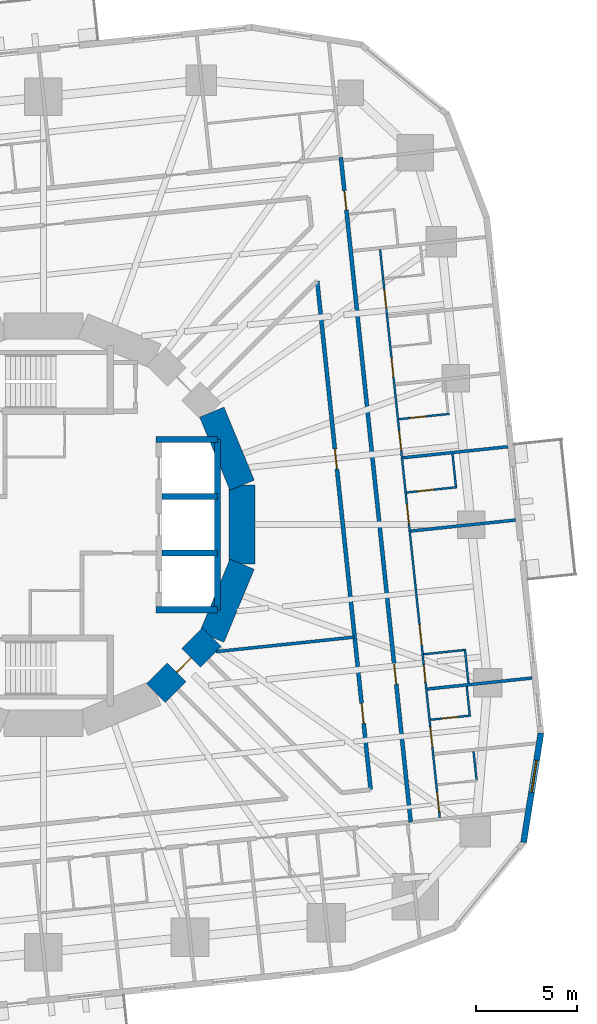
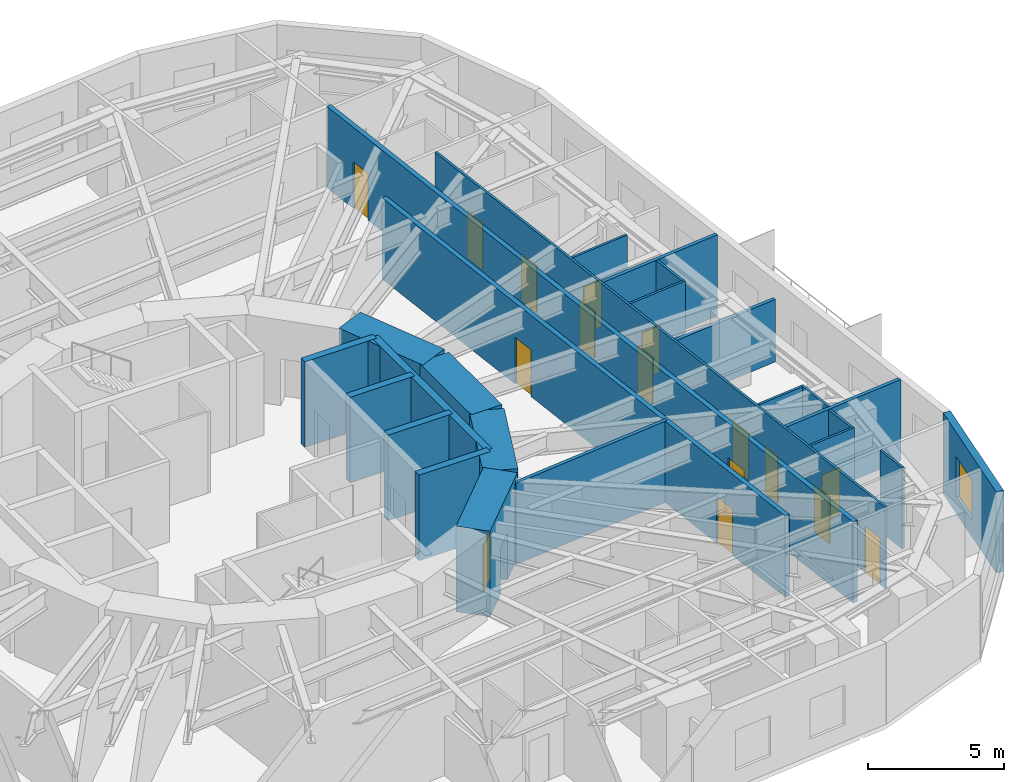
# One storey, part 8 of 13: 25 walls, 16 doors, 1 window, 17 openings.
"""IFC4 building model written with IfcOpenShell, lengths in metres."""

import ifcopenshell
import ifcopenshell.guid

model = None  # the IFC model being written
_history = None  # IfcOwnerHistory: only IFC2X3 demands one
_inside = {}  # id of a spatial element -> (the spatial element, [elements in it])
_under = {}  # id of a project, library or spatial element -> (it, [spatial elements below it])
_declared = {}  # id of a project -> (the project, [libraries it declares])
_typed = {}  # id of a type object -> (the type object, [elements of that type])
_made_of = {}  # id of a material, layer set ... -> (it, [elements and type objects made of it])


def new_model(schema):
    """Start an empty IFC model of exactly this schema.

    Asked for "IFC4X3", IfcOpenShell would pick the latest addendum, in which some entities
    have other attributes; the version numbers below select the first issue.
    IFC2X3 requires an IfcOwnerHistory on every rooted entity: one is made here for all.
    """
    global model, _history
    if schema == "IFC4X3":
        model = ifcopenshell.file(schema_version=(4, 3, 0, 0))
    else:
        model = ifcopenshell.file(schema=schema)
    _inside.clear()
    _under.clear()
    _declared.clear()
    _typed.clear()
    _made_of.clear()
    _history = None
    if model.schema == "IFC2X3":
        org = make("IfcOrganization", Name="unknown")
        user = make(
            "IfcPersonAndOrganization",
            ThePerson=make("IfcPerson", FamilyName="unknown"),
            TheOrganization=org,
        )
        app = make(
            "IfcApplication",
            ApplicationDeveloper=org,
            Version="unknown",
            ApplicationFullName="unknown",
            ApplicationIdentifier="unknown",
        )
        _history = make(
            "IfcOwnerHistory",
            OwningUser=user,
            OwningApplication=app,
            ChangeAction="ADDED",
            CreationDate=0,
        )
    return model


def make(cls, **values):
    """One entity of the class cls with the attributes given. An attribute that is None is left unset."""
    return model.create_entity(
        cls, **{name: value for name, value in values.items() if value is not None}
    )


def rooted(cls, **values):
    """An entity with a GlobalId (a new one), such as an element, a storey or a relation."""
    return make(cls, GlobalId=ifcopenshell.guid.new(), OwnerHistory=_history, **values)


def si_unit(unit_type, name, prefix=None):
    """IfcSIUnit, for example si_unit("LENGTHUNIT", "METRE", prefix="MILLI")."""
    return make("IfcSIUnit", UnitType=unit_type, Prefix=prefix, Name=name)


def assignment(units):
    """IfcUnitAssignment: the units of a project."""
    return None if units is None else make("IfcUnitAssignment", Units=units)


def point(xyz):
    """IfcCartesianPoint."""
    return None if xyz is None else make("IfcCartesianPoint", Coordinates=xyz)


def direction(xyz):
    """IfcDirection."""
    return None if xyz is None else make("IfcDirection", DirectionRatios=xyz)


def frame(location, z_axis=None, x_axis=None):
    """IfcAxis2Placement3D, a coordinate frame: its origin and axes. An axis left out is left unset."""
    return make(
        "IfcAxis2Placement3D",
        Location=point(location),
        Axis=direction(z_axis),
        RefDirection=direction(x_axis),
    )


def frame_2d(location, x_axis=None):
    """IfcAxis2Placement2D, a coordinate frame in the plane: its origin and x axis."""
    return make(
        "IfcAxis2Placement2D", Location=point(location), RefDirection=direction(x_axis)
    )


def origin():
    """The frame at (0, 0, 0) with its axes left unset."""
    return frame((0.0, 0.0, 0.0))


def place(relative_to, where):
    """IfcLocalPlacement: puts the frame where relative to a parent placement (None: the world)."""
    return make(
        "IfcLocalPlacement", PlacementRelTo=relative_to, RelativePlacement=where
    )


def context(
    kind, dimensions, precision=None, world=None, true_north=None, identifier=None
):
    """IfcGeometricRepresentationContext, for example the 3D "Model" context."""
    return make(
        "IfcGeometricRepresentationContext",
        ContextIdentifier=identifier,
        ContextType=kind,
        CoordinateSpaceDimension=dimensions,
        Precision=precision,
        WorldCoordinateSystem=world,
        TrueNorth=true_north,
    )


def subcontext(parent, identifier, kind, view, scale=None):
    """IfcGeometricRepresentationSubContext, for example "Body" below "Model"."""
    return make(
        "IfcGeometricRepresentationSubContext",
        ContextIdentifier=identifier,
        ContextType=kind,
        ParentContext=parent,
        TargetScale=scale,
        TargetView=view,
    )


def project(units=None, contexts=None):
    """IfcProject with its units and contexts."""
    return rooted(
        "IfcProject",
        Name="project",
        RepresentationContexts=contexts,
        UnitsInContext=assignment(units),
    )


def spatial(cls, under=None, at=None, **own):
    """A site, building, storey or space (cls), placed at a placement, below another one or the project."""
    s = rooted(cls, ObjectPlacement=at, **own)
    if under is not None:
        _under.setdefault(under.id(), (under, []))[1].append(s)
    return s


def profile(cls, at=None, kind="AREA", **sizes):
    """A parametric profile (cls). Its sizes go by their IFC names, for example OverallWidth=200.0."""
    return make(cls, ProfileType=kind, Position=at, **sizes)


def rectangle(**sizes):
    """IfcRectangleProfileDef."""
    return profile("IfcRectangleProfileDef", **sizes)


def extrude(swept, where, along, depth):
    """IfcExtrudedAreaSolid: the profile swept, set in the frame where, extruded along a direction by depth."""
    return make(
        "IfcExtrudedAreaSolid",
        SweptArea=swept,
        Position=where,
        ExtrudedDirection=direction(along),
        Depth=depth,
    )


def shape(context_of_items, identifier, shape_type, items):
    """IfcShapeRepresentation: the items that make up one representation, for example the "Body"."""
    return make(
        "IfcShapeRepresentation",
        ContextOfItems=context_of_items,
        RepresentationIdentifier=identifier,
        RepresentationType=shape_type,
        Items=items,
    )


def material(Name=None, Category=None):
    """IfcMaterial."""
    return make("IfcMaterial", Name=Name, Category=Category)


def layer(
    of_material, thickness, ventilated=None, Name=None, Category=None, Priority=None
):
    """IfcMaterialLayer: one layer of a wall or slab, of a material (None: an air gap)."""
    return make(
        "IfcMaterialLayer",
        Material=of_material,
        LayerThickness=thickness,
        IsVentilated=ventilated,
        Name=Name,
        Category=Category,
        Priority=Priority,
    )


def layer_set(layers, Name=None):
    """IfcMaterialLayerSet."""
    return make("IfcMaterialLayerSet", MaterialLayers=layers, LayerSetName=Name)


def made_of(thing, what):
    """Note that an element or type object is made of a material, layer set ...; save() writes the relation."""
    if what is not None:
        _made_of.setdefault(what.id(), (what, []))[1].append(thing)
    return thing


def type_object(cls, material=None, **own):
    """A type object (cls), such as IfcWallType, which elements share."""
    return made_of(rooted(cls, **own), material)


def element(
    cls,
    number,
    at=None,
    inside=None,
    cuts=None,
    type_object=None,
    material=None,
    context=None,
    identifier="Body",
    shape_type=None,
    held_by="IfcProductDefinitionShape",
    body=None,
    shapes=None,
    **own,
):
    """One element of the class cls, such as IfcWall. Its Tag is "e" and its number.

    at: its placement. inside: the storey or other place that contains it. cuts: it is an
    opening in that element (IfcRelVoidsElement). A single representation is given by context,
    identifier, shape_type and body (its items); several are given by shapes. held_by: the class
    of the entity that holds the representations. save() writes the other relations.
    """
    e = rooted(cls, Tag="e%d" % number, ObjectPlacement=at, **own)
    if body is not None:
        shapes = [shape(context, identifier, shape_type, body)]
    if shapes is not None:
        e.Representation = make(held_by, Representations=shapes)
    if inside is not None:
        _inside.setdefault(inside.id(), (inside, []))[1].append(e)
    if cuts is not None:
        rooted(
            "IfcRelVoidsElement", RelatingBuildingElement=cuts, RelatedOpeningElement=e
        )
    if type_object is not None:
        _typed.setdefault(type_object.id(), (type_object, []))[1].append(e)
    return made_of(e, material)


def fill(opening, filler):
    """IfcRelFillsElement: the door or window that sits in an opening."""
    return rooted(
        "IfcRelFillsElement",
        RelatingOpeningElement=opening,
        RelatedBuildingElement=filler,
    )


def aggregate(whole, parts):
    """IfcRelAggregates: a whole, such as a stair, and the parts it consists of."""
    return rooted("IfcRelAggregates", RelatingObject=whole, RelatedObjects=parts)


def save(model, path):
    """Write the relations noted so far, then the file.

    IfcRelAggregates (storeys below a building ...), IfcRelContainedInSpatialStructure (elements
    in a storey), IfcRelDefinesByType, IfcRelAssociatesMaterial and IfcRelDeclares: one each for
    every whole, place, type object, material and project.
    """
    for whole, parts in _under.values():
        aggregate(whole, parts)
    for where, things in _inside.values():
        rooted(
            "IfcRelContainedInSpatialStructure",
            RelatedElements=things,
            RelatingStructure=where,
        )
    for kind, things in _typed.values():
        rooted("IfcRelDefinesByType", RelatedObjects=things, RelatingType=kind)
    for what, things in _made_of.values():
        rooted("IfcRelAssociatesMaterial", RelatedObjects=things, RelatingMaterial=what)
    for by, libraries in _declared.values():
        rooted("IfcRelDeclares", RelatingContext=by, RelatedDefinitions=libraries)
    model.write(path)


model = new_model("IFC4")

# Units and contexts
model_context = context("Model", 3, precision=1e-05, world=origin(), true_north=direction((0.0, 1.0)))
body_context = subcontext(model_context, "Body", "Model", "MODEL_VIEW")
ifc_project = project(units=[si_unit("LENGTHUNIT", "METRE"), si_unit("AREAUNIT", "SQUARE_METRE"), si_unit("VOLUMEUNIT", "CUBIC_METRE"), si_unit("PLANEANGLEUNIT", "RADIAN"), si_unit("MASSUNIT", "GRAM", prefix="KILO")], contexts=[model_context])

# Site, building, storey
site_placement = place(None, origin())
site = spatial("IfcSite", under=ifc_project, at=site_placement, CompositionType="ELEMENT")
building_placement = place(site_placement, origin())
building = spatial("IfcBuilding", under=site, at=building_placement, Name="Nakasero Lantern House", CompositionType="ELEMENT")
storey_placement = place(building_placement, frame((0.0, 0.0, 91.300048828125)))
storey = spatial("IfcBuildingStorey", under=building, at=storey_placement, Name="L22", CompositionType="ELEMENT", Elevation=91.300048828125)

# Wall, openings, doors
ifc_material_1 = material(Name="Blockwork", Category="masonry")
ifc_layer_1 = layer(ifc_material_1, 0.10009765625)
ifc_layer_set_1 = layer_set([ifc_layer_1], Name="Cluster hall wall 100")
wall_type_1 = type_object("IfcWallType", Name="Cluster hall wall 100", PredefinedType="PARTITIONING", material=ifc_layer_set_1)
wall_1_placement = place(storey_placement, frame((19.568603515625, -14.458740234375, 0.0), z_axis=(0.0, 0.0, 1.0), x_axis=(-0.10452880444, 0.99452185951, 0.0)))
wall_1 = element("IfcWall", 1, at=wall_1_placement, inside=storey, type_object=wall_type_1, Name="Cluster hall wall L22 HW0-0", PredefinedType="PARTITIONING", context=body_context, shape_type="SweptSolid", body=[
    extrude(rectangle(XDim=28.191162109375, YDim=0.10009765625, at=frame_2d((14.095703125, 0.0))), origin(), (0.0, 0.0, 1.0), 3.64990234375),
])
opening_1_placement = place(wall_1_placement, frame((8.57568359375, 0.0, 0.0)))
opening_1 = element("IfcOpeningElement", 2, at=opening_1_placement, cuts=wall_1, Name="Opening D03", PredefinedType="OPENING", context=body_context, shape_type="SweptSolid", body=[
    extrude(rectangle(XDim=1.0, YDim=2.10009765625, at=frame_2d((0.5, 1.050048828125))), frame((0.0, 0.070068359375, 0.0), z_axis=(0.0, -1.0, 0.0), x_axis=(1.0, 0.0, 0.0)), (0.0, 0.0, 1.0), 0.14013671875),
])
opening_2_placement = place(wall_1_placement, frame((6.75048828125, 0.0, 0.0)))
opening_2 = element("IfcOpeningElement", 3, at=opening_2_placement, cuts=wall_1, Name="Opening D02", PredefinedType="OPENING", context=body_context, shape_type="SweptSolid", body=[
    extrude(rectangle(XDim=0.800048828125, YDim=2.10009765625, at=frame_2d((0.39990234375, 1.050048828125))), frame((0.0, 0.070068359375, 0.0), z_axis=(0.0, -1.0, 0.0), x_axis=(1.0, 0.0, 0.0)), (0.0, 0.0, 1.0), 0.14013671875),
])
opening_3_placement = place(wall_1_placement, frame((0.300048828125, 0.0, 0.0)))
opening_3 = element("IfcOpeningElement", 4, at=opening_3_placement, cuts=wall_1, Name="Opening D01", PredefinedType="OPENING", context=body_context, shape_type="SweptSolid", body=[
    extrude(rectangle(XDim=0.949951171875, YDim=2.10009765625, at=frame_2d((0.47509765625, 1.050048828125))), frame((0.0, 0.070068359375, 0.0), z_axis=(0.0, -1.0, 0.0), x_axis=(1.0, 0.0, 0.0)), (0.0, 0.0, 1.0), 0.14013671875),
])
opening_4_placement = place(wall_1_placement, frame((3.525390625, 0.0, 0.0)))
opening_4 = element("IfcOpeningElement", 5, at=opening_4_placement, cuts=wall_1, Name="Opening D01", PredefinedType="OPENING", context=body_context, shape_type="SweptSolid", body=[
    extrude(rectangle(XDim=0.949951171875, YDim=2.10009765625, at=frame_2d((0.47509765625, 1.050048828125))), frame((0.0, 0.070068359375, 0.0), z_axis=(0.0, -1.0, 0.0), x_axis=(1.0, 0.0, 0.0)), (0.0, 0.0, 1.0), 0.14013671875),
])
opening_5_placement = place(wall_1_placement, frame((14.5927734375, 0.0, 0.0)))
opening_5 = element("IfcOpeningElement", 6, at=opening_5_placement, cuts=wall_1, Name="Opening D01", PredefinedType="OPENING", context=body_context, shape_type="SweptSolid", body=[
    extrude(rectangle(XDim=0.949951171875, YDim=2.10009765625, at=frame_2d((0.47509765625, 1.050048828125))), frame((0.0, 0.070068359375, 0.0), z_axis=(0.0, -1.0, 0.0), x_axis=(1.0, 0.0, 0.0)), (0.0, 0.0, 1.0), 0.14013671875),
])
opening_6_placement = place(wall_1_placement, frame((18.2314453125, 0.0, 0.0)))
opening_6 = element("IfcOpeningElement", 7, at=opening_6_placement, cuts=wall_1, Name="Opening D01", PredefinedType="OPENING", context=body_context, shape_type="SweptSolid", body=[
    extrude(rectangle(XDim=0.949951171875, YDim=2.10009765625, at=frame_2d((0.47509765625, 1.050048828125))), frame((0.0, 0.070068359375, 0.0), z_axis=(0.0, -1.0, 0.0), x_axis=(1.0, 0.0, 0.0)), (0.0, 0.0, 1.0), 0.14013671875),
])
opening_7_placement = place(wall_1_placement, frame((21.8701171875, 0.0, 0.0)))
opening_7 = element("IfcOpeningElement", 8, at=opening_7_placement, cuts=wall_1, Name="Opening D01", PredefinedType="OPENING", context=body_context, shape_type="SweptSolid", body=[
    extrude(rectangle(XDim=0.949951171875, YDim=2.10009765625, at=frame_2d((0.47509765625, 1.050048828125))), frame((0.0, 0.070068359375, 0.0), z_axis=(0.0, -1.0, 0.0), x_axis=(1.0, 0.0, 0.0)), (0.0, 0.0, 1.0), 0.14013671875),
])
opening_8_placement = place(wall_1_placement, frame((25.255615234375, 0.0, 0.0)))
opening_8 = element("IfcOpeningElement", 9, at=opening_8_placement, cuts=wall_1, Name="Opening D01", PredefinedType="OPENING", context=body_context, shape_type="SweptSolid", body=[
    extrude(rectangle(XDim=0.949951171875, YDim=2.10009765625, at=frame_2d((0.47509765625, 1.050048828125))), frame((0.0, 0.070068359375, 0.0), z_axis=(0.0, -1.0, 0.0), x_axis=(1.0, 0.0, 0.0)), (0.0, 0.0, 1.0), 0.14013671875),
])
ifc_material_2 = material(Name="Timber C24", Category="wood")
door_type_1 = type_object("IfcDoorType", Name="Bedroom door FD30S 950", OperationType="SINGLE_SWING_LEFT", PredefinedType="DOOR", material=ifc_material_2)
door_1_placement = place(opening_3_placement, origin())
door_1 = element("IfcDoor", 10, at=door_1_placement, inside=storey, type_object=door_type_1, Name="Door L22 D0-00", OperationType="SINGLE_SWING_LEFT", OverallHeight=2.10009765625, OverallWidth=0.949951171875, PredefinedType="DOOR", context=body_context, shape_type="SweptSolid", body=[
    extrude(rectangle(XDim=0.949951171875, YDim=2.10009765625, at=frame_2d((0.47509765625, 1.050048828125))), frame((0.0, 0.02490234375, 0.0), z_axis=(0.0, -1.0, 0.0), x_axis=(1.0, 0.0, 0.0)), (0.0, 0.0, 1.0), 0.050048828125),
])
fill(opening_3, door_1)
door_2_placement = place(opening_4_placement, origin())
door_2 = element("IfcDoor", 11, at=door_2_placement, inside=storey, type_object=door_type_1, Name="Door L22 D0-01", OperationType="SINGLE_SWING_LEFT", OverallHeight=2.10009765625, OverallWidth=0.949951171875, PredefinedType="DOOR", context=body_context, shape_type="SweptSolid", body=[
    extrude(rectangle(XDim=0.949951171875, YDim=2.10009765625, at=frame_2d((0.47509765625, 1.050048828125))), frame((0.0, 0.02490234375, 0.0), z_axis=(0.0, -1.0, 0.0), x_axis=(1.0, 0.0, 0.0)), (0.0, 0.0, 1.0), 0.050048828125),
])
fill(opening_4, door_2)
door_3_placement = place(opening_5_placement, origin())
door_3 = element("IfcDoor", 12, at=door_3_placement, inside=storey, type_object=door_type_1, Name="Door L22 D0-04", OperationType="SINGLE_SWING_RIGHT", OverallHeight=2.10009765625, OverallWidth=0.949951171875, PredefinedType="DOOR", context=body_context, shape_type="SweptSolid", body=[
    extrude(rectangle(XDim=0.949951171875, YDim=2.10009765625, at=frame_2d((0.47509765625, 1.050048828125))), frame((0.0, 0.02490234375, 0.0), z_axis=(0.0, -1.0, 0.0), x_axis=(1.0, 0.0, 0.0)), (0.0, 0.0, 1.0), 0.050048828125),
])
fill(opening_5, door_3)
door_4_placement = place(opening_6_placement, origin())
door_4 = element("IfcDoor", 13, at=door_4_placement, inside=storey, type_object=door_type_1, Name="Door L22 D0-05", OperationType="SINGLE_SWING_RIGHT", OverallHeight=2.10009765625, OverallWidth=0.949951171875, PredefinedType="DOOR", context=body_context, shape_type="SweptSolid", body=[
    extrude(rectangle(XDim=0.949951171875, YDim=2.10009765625, at=frame_2d((0.47509765625, 1.050048828125))), frame((0.0, 0.02490234375, 0.0), z_axis=(0.0, -1.0, 0.0), x_axis=(1.0, 0.0, 0.0)), (0.0, 0.0, 1.0), 0.050048828125),
])
fill(opening_6, door_4)
door_5_placement = place(opening_7_placement, origin())
door_5 = element("IfcDoor", 14, at=door_5_placement, inside=storey, type_object=door_type_1, Name="Door L22 D0-06", OperationType="SINGLE_SWING_RIGHT", OverallHeight=2.10009765625, OverallWidth=0.949951171875, PredefinedType="DOOR", context=body_context, shape_type="SweptSolid", body=[
    extrude(rectangle(XDim=0.949951171875, YDim=2.10009765625, at=frame_2d((0.47509765625, 1.050048828125))), frame((0.0, 0.02490234375, 0.0), z_axis=(0.0, -1.0, 0.0), x_axis=(1.0, 0.0, 0.0)), (0.0, 0.0, 1.0), 0.050048828125),
])
fill(opening_7, door_5)
door_6_placement = place(opening_8_placement, origin())
door_6 = element("IfcDoor", 15, at=door_6_placement, inside=storey, type_object=door_type_1, Name="Door L22 D0-07", OperationType="SINGLE_SWING_RIGHT", OverallHeight=2.10009765625, OverallWidth=0.949951171875, PredefinedType="DOOR", context=body_context, shape_type="SweptSolid", body=[
    extrude(rectangle(XDim=0.949951171875, YDim=2.10009765625, at=frame_2d((0.47509765625, 1.050048828125))), frame((0.0, 0.02490234375, 0.0), z_axis=(0.0, -1.0, 0.0), x_axis=(1.0, 0.0, 0.0)), (0.0, 0.0, 1.0), 0.050048828125),
])
fill(opening_8, door_6)
ifc_material_3 = material(Name="Timber C24", Category="wood")
door_type_2 = type_object("IfcDoorType", Name="En-suite door 800", OperationType="SINGLE_SWING_RIGHT", PredefinedType="DOOR", material=ifc_material_3)
door_7_placement = place(opening_2_placement, origin())
door_7 = element("IfcDoor", 16, at=door_7_placement, inside=storey, type_object=door_type_2, Name="Door L22 DSH0-0", OperationType="SINGLE_SWING_LEFT", OverallHeight=2.10009765625, OverallWidth=0.800048828125, PredefinedType="DOOR", context=body_context, shape_type="SweptSolid", body=[
    extrude(rectangle(XDim=0.800048828125, YDim=2.10009765625, at=frame_2d((0.39990234375, 1.050048828125))), frame((0.0, 0.02490234375, 0.0), z_axis=(0.0, -1.0, 0.0), x_axis=(1.0, 0.0, 0.0)), (0.0, 0.0, 1.0), 0.050048828125),
])
fill(opening_2, door_7)
ifc_material_4 = material(Name="Timber C24", Category="wood")
door_type_3 = type_object("IfcDoorType", Name="Lounge door FD30S 1000", OperationType="SINGLE_SWING_LEFT", PredefinedType="DOOR", material=ifc_material_4)
door_8_placement = place(opening_1_placement, origin())
door_8 = element("IfcDoor", 17, at=door_8_placement, inside=storey, type_object=door_type_3, Name="Door L22 DH0-0", OperationType="SINGLE_SWING_LEFT", OverallHeight=2.10009765625, OverallWidth=1.0, PredefinedType="DOOR", context=body_context, shape_type="SweptSolid", body=[
    extrude(rectangle(XDim=1.0, YDim=2.10009765625, at=frame_2d((0.5, 1.050048828125))), frame((0.0, 0.02490234375, 0.0), z_axis=(0.0, -1.0, 0.0), x_axis=(1.0, 0.0, 0.0)), (0.0, 0.0, 1.0), 0.050048828125),
])
fill(opening_1, door_8)

# Walls
ifc_material_5 = material(Name="Concrete C50/60", Category="concrete")
ifc_layer_2 = layer(ifc_material_5, 0.300048828125)
ifc_layer_set_2 = layer_set([ifc_layer_2], Name="Core inner wall 300")
wall_type_2 = type_object("IfcWallType", Name="Core inner wall 300", PredefinedType="SHEAR", material=ifc_layer_set_2)
for number, where, z_axis, x_axis, name in (
    (18, (5.550048828125, 4.199951171875, 0.0), (0.0, 0.0, 1.0), (1.0, 0.0, 0.0), "Core inner wall L22 LEN"),
    (19, (5.550048828125, -4.199951171875, 0.0), (0.0, 0.0, 1.0), (1.0, 0.0, 0.0), "Core inner wall L22 LES"),
):
    element("IfcWall", number, at=place(storey_placement, frame(where, z_axis=z_axis, x_axis=x_axis)), inside=storey, type_object=wall_type_2, Name=name, PredefinedType="SHEAR", context=body_context, shape_type="SweptSolid", body=[
        extrude(rectangle(XDim=3.050048828125, YDim=0.300048828125, at=frame_2d((1.52490234375, 0.0))), origin(), (0.0, 0.0, 1.0), 3.849853515625),
    ])
wall_2_placement = place(storey_placement, frame((8.60009765625, -4.199951171875, 0.0), z_axis=(0.0, 0.0, 1.0), x_axis=(0.0, 1.0, 0.0)))
element("IfcWall", 20, at=wall_2_placement, inside=storey, type_object=wall_type_2, Name="Core inner wall L22 LEB", PredefinedType="SHEAR", context=body_context, shape_type="SweptSolid", body=[
    extrude(rectangle(XDim=8.39990234375, YDim=0.300048828125, at=frame_2d((4.199951171875, 0.0))), origin(), (0.0, 0.0, 1.0), 3.849853515625),
])
for number, where, z_axis, x_axis, name in (
    (21, (5.85009765625, -1.39990234375, 0.0), (0.0, 0.0, 1.0), (1.0, 0.0, 0.0), "Core inner wall L22 LE1"),
    (22, (5.85009765625, 1.39990234375, 0.0), (0.0, 0.0, 1.0), (1.0, 0.0, 0.0), "Core inner wall L22 LE2"),
):
    element("IfcWall", number, at=place(storey_placement, frame(where, z_axis=z_axis, x_axis=x_axis)), inside=storey, type_object=wall_type_2, Name=name, PredefinedType="SHEAR", context=body_context, shape_type="SweptSolid", body=[
        extrude(rectangle(XDim=2.75, YDim=0.300048828125, at=frame_2d((1.375, 0.0))), origin(), (0.0, 0.0, 1.0), 3.849853515625),
    ])
ifc_material_6 = material(Name="Concrete C50/60", Category="concrete")
ifc_layer_3 = layer(ifc_material_6, 1.300048828125)
ifc_layer_set_3 = layer_set([ifc_layer_3], Name="Core wall 1300")
wall_type_3 = type_object("IfcWallType", Name="Core wall 1300", PredefinedType="SHEAR", material=ifc_layer_set_3)
wall_3_placement = place(storey_placement, frame((9.807861328125, 1.950927734375, 0.0), z_axis=(0.0, 0.0, 1.0), x_axis=(-0.382690736062, 0.923876507187, 0.0)))
element("IfcWall", 23, at=wall_3_placement, inside=storey, type_object=wall_type_3, Name="Core wall L22 facet 1", PredefinedType="SHEAR", context=body_context, shape_type="SweptSolid", body=[
    extrude(rectangle(XDim=3.90185546875, YDim=1.300048828125, at=frame_2d((1.950927734375, 0.0))), origin(), (0.0, 0.0, 1.0), 3.849853515625),
])

# Wall, opening, door
wall_4_placement = place(storey_placement, frame((5.5556640625, -8.314697265625, 0.0), z_axis=(0.0, 0.0, 1.0), x_axis=(0.707106781187, 0.707106781187, 0.0)))
wall_4 = element("IfcWall", 24, at=wall_4_placement, inside=storey, type_object=wall_type_3, Name="Core wall L22 facet 14", PredefinedType="SHEAR", context=body_context, shape_type="SweptSolid", body=[
    extrude(rectangle(XDim=3.90185546875, YDim=1.300048828125, at=frame_2d((1.950927734375, 0.0))), origin(), (0.0, 0.0, 1.0), 3.849853515625),
])
opening_9_placement = place(wall_4_placement, frame((1.450927734375, 0.0, 0.0)))
opening_9 = element("IfcOpeningElement", 25, at=opening_9_placement, cuts=wall_4, Name="Opening D05", PredefinedType="OPENING", context=body_context, shape_type="SweptSolid", body=[
    extrude(rectangle(XDim=1.0, YDim=2.10009765625, at=frame_2d((0.5, 1.050048828125))), frame((0.0, 0.669921875, 0.0), z_axis=(0.0, -1.0, 0.0), x_axis=(1.0, 0.0, 0.0)), (0.0, 0.0, 1.0), 1.340087890625),
])
ifc_material_7 = material(Name="Timber C24", Category="wood")
door_type_4 = type_object("IfcDoorType", Name="Core door FD60S 1000", OperationType="SINGLE_SWING_LEFT", PredefinedType="DOOR", material=ifc_material_7)
door_9_placement = place(opening_9_placement, origin())
door_9 = element("IfcDoor", 26, at=door_9_placement, inside=storey, type_object=door_type_4, Name="Door L22 D-CORE14", OperationType="SINGLE_SWING_LEFT", OverallHeight=2.10009765625, OverallWidth=1.0, PredefinedType="DOOR", context=body_context, shape_type="SweptSolid", body=[
    extrude(rectangle(XDim=1.0, YDim=2.10009765625, at=frame_2d((0.5, 1.050048828125))), frame((0.0, 0.02490234375, 0.0), z_axis=(0.0, -1.0, 0.0), x_axis=(1.0, 0.0, 0.0)), (0.0, 0.0, 1.0), 0.050048828125),
])
fill(opening_9, door_9)

# Walls
for number, where, z_axis, x_axis, name in (
    (27, (8.314697265625, -5.5556640625, 0.0), (0.0, 0.0, 1.0), (0.382690736062, 0.923876507187, 0.0), "Core wall L22 facet 15"),
    (28, (9.807861328125, -1.950927734375, 0.0), (0.0, 0.0, 1.0), (0.0, 1.0, 0.0), "Core wall L22 facet 16"),
):
    element("IfcWall", number, at=place(storey_placement, frame(where, z_axis=z_axis, x_axis=x_axis)), inside=storey, type_object=wall_type_3, Name=name, PredefinedType="SHEAR", context=body_context, shape_type="SweptSolid", body=[
        extrude(rectangle(XDim=3.90185546875, YDim=1.300048828125, at=frame_2d((1.950927734375, 0.0))), origin(), (0.0, 0.0, 1.0), 3.849853515625),
    ])

# Wall, openings, doors
ifc_material_8 = material(Name="Blockwork", Category="masonry")
ifc_layer_4 = layer(ifc_material_8, 0.199951171875)
ifc_layer_set_4 = layer_set([ifc_layer_4], Name="Corridor wall 200")
wall_type_4 = type_object("IfcWallType", Name="Corridor wall 200", PredefinedType="PARTITIONING", material=ifc_layer_set_4)
wall_5_placement = place(storey_placement, frame((18.13427734375, -14.684814453125, 0.0), z_axis=(0.0, 0.0, 1.0), x_axis=(-0.10452958258, 0.994521777723, 0.0)))
wall_5 = element("IfcWall", 29, at=wall_5_placement, inside=storey, type_object=wall_type_4, Name="Corridor wall L22 CW0", PredefinedType="PARTITIONING", context=body_context, shape_type="SweptSolid", body=[
    extrude(rectangle(XDim=32.999755859375, YDim=0.199951171875, at=frame_2d((16.5, 0.0))), origin(), (0.0, 0.0, 1.0), 3.64990234375),
])
opening_10_placement = place(wall_5_placement, frame((6.8505859375, 0.0, 0.0)))
opening_10 = element("IfcOpeningElement", 30, at=opening_10_placement, cuts=wall_5, Name="Opening D14", PredefinedType="OPENING", context=body_context, shape_type="SweptSolid", body=[
    extrude(rectangle(XDim=1.0, YDim=2.10009765625, at=frame_2d((0.5, 1.050048828125))), frame((0.0, 0.119873046875, 0.0), z_axis=(0.0, -1.0, 0.0), x_axis=(1.0, 0.0, 0.0)), (0.0, 0.0, 1.0), 0.239990234375),
])
opening_11_placement = place(wall_5_placement, frame((30.39111328125, 0.0, 0.0)))
opening_11 = element("IfcOpeningElement", 31, at=opening_11_placement, cuts=wall_5, Name="Opening D01", PredefinedType="OPENING", context=body_context, shape_type="SweptSolid", body=[
    extrude(rectangle(XDim=0.949951171875, YDim=2.10009765625, at=frame_2d((0.47509765625, 1.050048828125))), frame((0.0, 0.119873046875, 0.0), z_axis=(0.0, -1.0, 0.0), x_axis=(1.0, 0.0, 0.0)), (0.0, 0.0, 1.0), 0.239990234375),
])
door_10_placement = place(opening_11_placement, origin())
door_10 = element("IfcDoor", 32, at=door_10_placement, inside=storey, type_object=door_type_1, Name="Door L22 D0-08", OperationType="SINGLE_SWING_RIGHT", OverallHeight=2.10009765625, OverallWidth=0.949951171875, PredefinedType="DOOR", context=body_context, shape_type="SweptSolid", body=[
    extrude(rectangle(XDim=0.949951171875, YDim=2.10009765625, at=frame_2d((0.47509765625, 1.050048828125))), frame((0.0, 0.02490234375, 0.0), z_axis=(0.0, -1.0, 0.0), x_axis=(1.0, 0.0, 0.0)), (0.0, 0.0, 1.0), 0.050048828125),
])
fill(opening_11, door_10)
ifc_material_9 = material(Name="Timber C24", Category="wood")
door_type_5 = type_object("IfcDoorType", Name="Cluster entrance door FD30S 1000", OperationType="SINGLE_SWING_LEFT", PredefinedType="DOOR", material=ifc_material_9)
door_11_placement = place(opening_10_placement, origin())
door_11 = element("IfcDoor", 33, at=door_11_placement, inside=storey, type_object=door_type_5, Name="Door L22 DF0-0", OperationType="SINGLE_SWING_LEFT", OverallHeight=2.10009765625, OverallWidth=1.0, PredefinedType="DOOR", context=body_context, shape_type="SweptSolid", body=[
    extrude(rectangle(XDim=1.0, YDim=2.10009765625, at=frame_2d((0.5, 1.050048828125))), frame((0.0, 0.02490234375, 0.0), z_axis=(0.0, -1.0, 0.0), x_axis=(1.0, 0.0, 0.0)), (0.0, 0.0, 1.0), 0.050048828125),
])
fill(opening_10, door_11)

wall_6_placement = place(storey_placement, frame((16.156005859375, -13.0830078125, 0.0), z_axis=(0.0, 0.0, 1.0), x_axis=(-0.104528773298, 0.994521862783, 0.0)))
wall_6 = element("IfcWall", 34, at=wall_6_placement, inside=storey, type_object=wall_type_4, Name="Corridor wall L22 IW0-0", PredefinedType="PARTITIONING", context=body_context, shape_type="SweptSolid", body=[
    extrude(rectangle(XDim=25.2529296875, YDim=0.199951171875, at=frame_2d((12.62646484375, 0.0))), origin(), (0.0, 0.0, 1.0), 3.64990234375),
])
opening_12_placement = place(wall_6_placement, frame((3.287841796875, 0.0, 0.0)))
opening_12 = element("IfcOpeningElement", 35, at=opening_12_placement, cuts=wall_6, Name="Opening D07", PredefinedType="OPENING", context=body_context, shape_type="SweptSolid", body=[
    extrude(rectangle(XDim=1.0, YDim=2.10009765625, at=frame_2d((0.5, 1.050048828125))), frame((0.0, 0.119873046875, 0.0), z_axis=(0.0, -1.0, 0.0), x_axis=(1.0, 0.0, 0.0)), (0.0, 0.0, 1.0), 0.239990234375),
])
opening_13_placement = place(wall_6_placement, frame((15.914306640625, 0.0, 0.0)))
opening_13 = element("IfcOpeningElement", 36, at=opening_13_placement, cuts=wall_6, Name="Opening D07", PredefinedType="OPENING", context=body_context, shape_type="SweptSolid", body=[
    extrude(rectangle(XDim=1.0, YDim=2.10009765625, at=frame_2d((0.5, 1.050048828125))), frame((0.0, 0.119873046875, 0.0), z_axis=(0.0, -1.0, 0.0), x_axis=(1.0, 0.0, 0.0)), (0.0, 0.0, 1.0), 0.239990234375),
])
ifc_material_10 = material(Name="Timber C24", Category="wood")
door_type_6 = type_object("IfcDoorType", Name="Room door FD30S 1000", OperationType="SINGLE_SWING_LEFT", PredefinedType="DOOR", material=ifc_material_10)
door_12_placement = place(opening_12_placement, origin())
door_12 = element("IfcDoor", 37, at=door_12_placement, inside=storey, type_object=door_type_6, Name="Door L22 DI4", OperationType="SINGLE_SWING_LEFT", OverallHeight=2.10009765625, OverallWidth=1.0, PredefinedType="DOOR", context=body_context, shape_type="SweptSolid", body=[
    extrude(rectangle(XDim=1.0, YDim=2.10009765625, at=frame_2d((0.5, 1.050048828125))), frame((0.0, 0.02490234375, 0.0), z_axis=(0.0, -1.0, 0.0), x_axis=(1.0, 0.0, 0.0)), (0.0, 0.0, 1.0), 0.050048828125),
])
fill(opening_12, door_12)
door_13_placement = place(opening_13_placement, origin())
door_13 = element("IfcDoor", 38, at=door_13_placement, inside=storey, type_object=door_type_6, Name="Door L22 DI4S", OperationType="SINGLE_SWING_RIGHT", OverallHeight=2.10009765625, OverallWidth=1.0, PredefinedType="DOOR", context=body_context, shape_type="SweptSolid", body=[
    extrude(rectangle(XDim=1.0, YDim=2.10009765625, at=frame_2d((0.5, 1.050048828125))), frame((0.0, 0.02490234375, 0.0), z_axis=(0.0, -1.0, 0.0), x_axis=(1.0, 0.0, 0.0)), (0.0, 0.0, 1.0), 0.050048828125),
])
fill(opening_13, door_13)

# Walls
ifc_material_11 = material(Name="Blockwork", Category="masonry")
ifc_layer_5 = layer(ifc_material_11, 0.10009765625)
ifc_layer_set_5 = layer_set([ifc_layer_5], Name="En-suite wall 100")
wall_type_5 = type_object("IfcWallType", Name="En-suite wall 100", PredefinedType="PARTITIONING", material=ifc_layer_set_5)
wall_7_placement = place(storey_placement, frame((18.771484375, -6.397216796875, 0.0), z_axis=(0.0, 0.0, 1.0), x_axis=(0.994523910136, 0.104509292252, 0.0)))
element("IfcWall", 39, at=wall_7_placement, inside=storey, type_object=wall_type_5, Name="En-suite wall L22 SS0-0", PredefinedType="PARTITIONING", context=body_context, shape_type="SweptSolid", body=[
    extrude(rectangle(XDim=2.10009765625, YDim=0.10009765625, at=frame_2d((1.050048828125, 0.0))), origin(), (0.0, 0.0, 1.0), 3.64990234375),
])
wall_8_placement = place(storey_placement, frame((20.982666015625, -7.823974609375, 0.0), z_axis=(0.0, 0.0, 1.0), x_axis=(-0.104408173862, 0.994534530939, 0.0)))
element("IfcWall", 40, at=wall_8_placement, inside=storey, type_object=wall_type_5, Name="En-suite wall L22 SE0-0", PredefinedType="PARTITIONING", context=body_context, shape_type="SweptSolid", body=[
    extrude(rectangle(XDim=1.699951171875, YDim=0.10009765625, at=frame_2d((0.85009765625, 0.0))), origin(), (0.0, 0.0, 1.0), 3.64990234375),
])
wall_9_placement = place(storey_placement, frame((21.382568359375, -12.58349609375, 0.0), z_axis=(0.0, 0.0, 1.0), x_axis=(-0.104630319263, 0.994511184598, 0.0)))
element("IfcWall", 41, at=wall_9_placement, inside=storey, type_object=wall_type_5, Name="En-suite wall L22 EE0-00", PredefinedType="PARTITIONING", context=body_context, shape_type="SweptSolid", body=[
    extrude(rectangle(XDim=1.39990234375, YDim=0.10009765625, at=frame_2d((0.699951171875, 0.0))), origin(), (0.0, 0.0, 1.0), 3.64990234375),
])

# Wall, opening, door
wall_10_placement = place(storey_placement, frame((19.111328125, -9.62939453125, 0.0), z_axis=(0.0, 0.0, 1.0), x_axis=(0.99452550138, 0.104494148666, 0.0)))
wall_10 = element("IfcWall", 42, at=wall_10_placement, inside=storey, type_object=wall_type_5, Name="En-suite wall L22 ES0-01", PredefinedType="PARTITIONING", context=body_context, shape_type="SweptSolid", body=[
    extrude(rectangle(XDim=2.0, YDim=0.10009765625, at=frame_2d((1.0, 0.0))), origin(), (0.0, 0.0, 1.0), 3.64990234375),
])
opening_14_placement = place(wall_10_placement, frame((0.550048828125, 0.0, 0.0)))
opening_14 = element("IfcOpeningElement", 43, at=opening_14_placement, cuts=wall_10, Name="Opening D02", PredefinedType="OPENING", context=body_context, shape_type="SweptSolid", body=[
    extrude(rectangle(XDim=0.800048828125, YDim=2.10009765625, at=frame_2d((0.39990234375, 1.050048828125))), frame((0.0, 0.070068359375, 0.0), z_axis=(0.0, -1.0, 0.0), x_axis=(1.0, 0.0, 0.0)), (0.0, 0.0, 1.0), 0.14013671875),
])
door_14_placement = place(opening_14_placement, origin())
door_14 = element("IfcDoor", 44, at=door_14_placement, inside=storey, type_object=door_type_2, Name="Door L22 DE0-01", OperationType="SINGLE_SWING_LEFT", OverallHeight=2.10009765625, OverallWidth=0.800048828125, PredefinedType="DOOR", context=body_context, shape_type="SweptSolid", body=[
    extrude(rectangle(XDim=0.800048828125, YDim=2.10009765625, at=frame_2d((0.39990234375, 1.050048828125))), frame((0.0, 0.02490234375, 0.0), z_axis=(0.0, -1.0, 0.0), x_axis=(1.0, 0.0, 0.0)), (0.0, 0.0, 1.0), 0.050048828125),
])
fill(opening_14, door_14)

# Wall
wall_11_placement = place(storey_placement, frame((21.04541015625, -9.3759765625, 0.0), z_axis=(0.0, 0.0, 1.0), x_axis=(-0.104630319263, 0.994511184598, 0.0)))
element("IfcWall", 45, at=wall_11_placement, inside=storey, type_object=wall_type_5, Name="En-suite wall L22 EE0-01", PredefinedType="PARTITIONING", context=body_context, shape_type="SweptSolid", body=[
    extrude(rectangle(XDim=1.39990234375, YDim=0.10009765625, at=frame_2d((0.699951171875, 0.0))), origin(), (0.0, 0.0, 1.0), 3.64990234375),
])

# Wall, opening, door
wall_12_placement = place(storey_placement, frame((17.93212890625, 1.589599609375, 0.0), z_axis=(0.0, 0.0, 1.0), x_axis=(0.994525767953, 0.104491611519, 0.0)))
wall_12 = element("IfcWall", 46, at=wall_12_placement, inside=storey, type_object=wall_type_5, Name="En-suite wall L22 ES0-04", PredefinedType="PARTITIONING", context=body_context, shape_type="SweptSolid", body=[
    extrude(rectangle(XDim=2.5, YDim=0.10009765625, at=frame_2d((1.25, 0.0))), origin(), (0.0, 0.0, 1.0), 3.64990234375),
])
opening_15_placement = place(wall_12_placement, frame((0.550048828125, 0.0, 0.0)))
opening_15 = element("IfcOpeningElement", 47, at=opening_15_placement, cuts=wall_12, Name="Opening D02", PredefinedType="OPENING", context=body_context, shape_type="SweptSolid", body=[
    extrude(rectangle(XDim=0.800048828125, YDim=2.10009765625, at=frame_2d((0.39990234375, 1.050048828125))), frame((0.0, 0.070068359375, 0.0), z_axis=(0.0, -1.0, 0.0), x_axis=(1.0, 0.0, 0.0)), (0.0, 0.0, 1.0), 0.14013671875),
])
door_15_placement = place(opening_15_placement, origin())
door_15 = element("IfcDoor", 48, at=door_15_placement, inside=storey, type_object=door_type_2, Name="Door L22 DE0-04", OperationType="SINGLE_SWING_LEFT", OverallHeight=2.10009765625, OverallWidth=0.800048828125, PredefinedType="DOOR", context=body_context, shape_type="SweptSolid", body=[
    extrude(rectangle(XDim=0.800048828125, YDim=2.10009765625, at=frame_2d((0.39990234375, 1.050048828125))), frame((0.0, 0.02490234375, 0.0), z_axis=(0.0, -1.0, 0.0), x_axis=(1.0, 0.0, 0.0)), (0.0, 0.0, 1.0), 0.050048828125),
])
fill(opening_15, door_15)

# Wall
wall_13_placement = place(storey_placement, frame((20.363525390625, 1.895263671875, 0.0), z_axis=(0.0, 0.0, 1.0), x_axis=(-0.104517989015, 0.994522996201, 0.0)))
element("IfcWall", 49, at=wall_13_placement, inside=storey, type_object=wall_type_5, Name="En-suite wall L22 EE0-04", PredefinedType="PARTITIONING", context=body_context, shape_type="SweptSolid", body=[
    extrude(rectangle(XDim=1.60009765625, YDim=0.10009765625, at=frame_2d((0.800048828125, 0.0))), origin(), (0.0, 0.0, 1.0), 3.64990234375),
])

# Wall, opening, door
wall_14_placement = place(storey_placement, frame((17.5517578125, 5.208251953125, 0.0), z_axis=(0.0, 0.0, 1.0), x_axis=(0.994525767953, 0.104491611519, 0.0)))
wall_14 = element("IfcWall", 50, at=wall_14_placement, inside=storey, type_object=wall_type_5, Name="En-suite wall L22 ES0-05", PredefinedType="PARTITIONING", context=body_context, shape_type="SweptSolid", body=[
    extrude(rectangle(XDim=2.5, YDim=0.10009765625, at=frame_2d((1.25, 0.0))), origin(), (0.0, 0.0, 1.0), 3.64990234375),
])
opening_16_placement = place(wall_14_placement, frame((0.550048828125, 0.0, 0.0)))
opening_16 = element("IfcOpeningElement", 51, at=opening_16_placement, cuts=wall_14, Name="Opening D02", PredefinedType="OPENING", context=body_context, shape_type="SweptSolid", body=[
    extrude(rectangle(XDim=0.800048828125, YDim=2.10009765625, at=frame_2d((0.39990234375, 1.050048828125))), frame((0.0, 0.070068359375, 0.0), z_axis=(0.0, -1.0, 0.0), x_axis=(1.0, 0.0, 0.0)), (0.0, 0.0, 1.0), 0.14013671875),
])
door_16_placement = place(opening_16_placement, origin())
door_16 = element("IfcDoor", 52, at=door_16_placement, inside=storey, type_object=door_type_2, Name="Door L22 DE0-05", OperationType="SINGLE_SWING_LEFT", OverallHeight=2.10009765625, OverallWidth=0.800048828125, PredefinedType="DOOR", context=body_context, shape_type="SweptSolid", body=[
    extrude(rectangle(XDim=0.800048828125, YDim=2.10009765625, at=frame_2d((0.39990234375, 1.050048828125))), frame((0.0, 0.02490234375, 0.0), z_axis=(0.0, -1.0, 0.0), x_axis=(1.0, 0.0, 0.0)), (0.0, 0.0, 1.0), 0.050048828125),
])
fill(opening_16, door_16)

# Wall, opening, window
ifc_material_12 = material(Name="Aluminium rainscreen on blockwork", Category="masonry")
ifc_layer_6 = layer(ifc_material_12, 0.300048828125)
ifc_layer_set_6 = layer_set([ifc_layer_6], Name="Facade wall 300")
wall_type_6 = type_object("IfcWallType", Name="Facade wall 300", PredefinedType="SOLIDWALL", material=ifc_layer_set_6)
wall_15_placement = place(storey_placement, frame((23.705810546875, -15.68310546875, 0.0), z_axis=(0.0, 0.0, 1.0), x_axis=(0.156419383601, 0.987690729142, 0.0)))
wall_15 = element("IfcWall", 53, at=wall_15_placement, inside=storey, type_object=wall_type_6, Name="Facade wall L22 FW3C3", PredefinedType="SOLIDWALL", context=body_context, shape_type="SweptSolid", body=[
    extrude(rectangle(XDim=5.461181640625, YDim=0.300048828125, at=frame_2d((2.73046875, 0.0))), origin(), (0.0, 0.0, 1.0), 3.64990234375),
])
opening_17_placement = place(wall_15_placement, frame((2.5, 0.0, 0.75)))
opening_17 = element("IfcOpeningElement", 54, at=opening_17_placement, cuts=wall_15, Name="Opening W01", PredefinedType="OPENING", context=body_context, shape_type="SweptSolid", body=[
    extrude(rectangle(XDim=1.60009765625, YDim=1.800048828125, at=frame_2d((0.800048828125, 0.89990234375))), frame((0.0, 0.169921875, 0.0), z_axis=(0.0, -1.0, 0.0), x_axis=(1.0, 0.0, 0.0)), (0.0, 0.0, 1.0), 0.340087890625),
])
ifc_material_13 = material(Name="Aluminium 6063-T6 and glass", Category="aluminium")
window_type = type_object("IfcWindowType", Name="Bedroom window 1600x1800", PartitioningType="SINGLE_PANEL", PredefinedType="WINDOW", material=ifc_material_13)
window_placement = place(opening_17_placement, origin())
window = element("IfcWindow", 55, at=window_placement, inside=storey, type_object=window_type, Name="Window L22 WN0-00", OverallHeight=1.800048828125, OverallWidth=1.60009765625, PartitioningType="SINGLE_PANEL", PredefinedType="WINDOW", context=body_context, shape_type="SweptSolid", body=[
    extrude(rectangle(XDim=1.60009765625, YDim=1.800048828125, at=frame_2d((0.800048828125, 0.89990234375))), frame((0.0, 0.030029296875, 0.0), z_axis=(0.0, -1.0, 0.0), x_axis=(1.0, 0.0, 0.0)), (0.0, 0.0, 1.0), 0.06005859375),
])
fill(opening_17, window)

# Walls
ifc_material_14 = material(Name="Blockwork", Category="masonry")
ifc_layer_7 = layer(ifc_material_14, 0.14990234375)
ifc_layer_set_7 = layer_set([ifc_layer_7], Name="Party wall 150")
wall_type_7 = type_object("IfcWallType", Name="Party wall 150", PredefinedType="PARTITIONING", material=ifc_layer_set_7)
wall_16_placement = place(storey_placement, frame((18.951904296875, -8.11279296875, 0.0), z_axis=(0.0, 0.0, 1.0), x_axis=(0.994523446942, 0.104513699976, 0.0)))
element("IfcWall", 56, at=wall_16_placement, inside=storey, type_object=wall_type_7, Name="Party wall L22 PW0-02", PredefinedType="PARTITIONING", context=body_context, shape_type="SweptSolid", body=[
    extrude(rectangle(XDim=5.199951171875, YDim=0.14990234375, at=frame_2d((2.60009765625, 0.0))), origin(), (0.0, 0.0, 1.0), 3.64990234375),
])
wall_17_placement = place(storey_placement, frame((18.132080078125, -0.3134765625, 0.0), z_axis=(0.0, 0.0, 1.0), x_axis=(0.994523959761, 0.104508820017, 0.0)))
element("IfcWall", 57, at=wall_17_placement, inside=storey, type_object=wall_type_7, Name="Party wall L22 PW0-04", PredefinedType="PARTITIONING", context=body_context, shape_type="SweptSolid", body=[
    extrude(rectangle(XDim=5.2001953125, YDim=0.14990234375, at=frame_2d((2.60009765625, 0.0))), origin(), (0.0, 0.0, 1.0), 2.809326171875),
])
wall_18_placement = place(storey_placement, frame((17.751708984375, 3.30517578125, 0.0), z_axis=(0.0, 0.0, 1.0), x_axis=(0.994523959761, 0.104508820017, 0.0)))
element("IfcWall", 58, at=wall_18_placement, inside=storey, type_object=wall_type_7, Name="Party wall L22 PW0-05", PredefinedType="PARTITIONING", context=body_context, shape_type="SweptSolid", body=[
    extrude(rectangle(XDim=5.2001953125, YDim=0.14990234375, at=frame_2d((2.60009765625, 0.0))), origin(), (0.0, 0.0, 1.0), 3.64990234375),
])
wall_19_placement = place(storey_placement, frame((8.52197265625, -6.267822265625, 0.0), z_axis=(0.0, 0.0, 1.0), x_axis=(0.994520608951, 0.10454070199, 0.0)))
element("IfcWall", 59, at=wall_19_placement, inside=storey, type_object=wall_type_7, Name="Party wall L22 IS4", PredefinedType="PARTITIONING", context=body_context, shape_type="SweptSolid", body=[
    extrude(rectangle(XDim=6.8798828125, YDim=0.14990234375, at=frame_2d((3.43994140625, 0.0))), origin(), (0.0, 0.0, 1.0), 3.64990234375),
])

save(model, "model.ifc")
